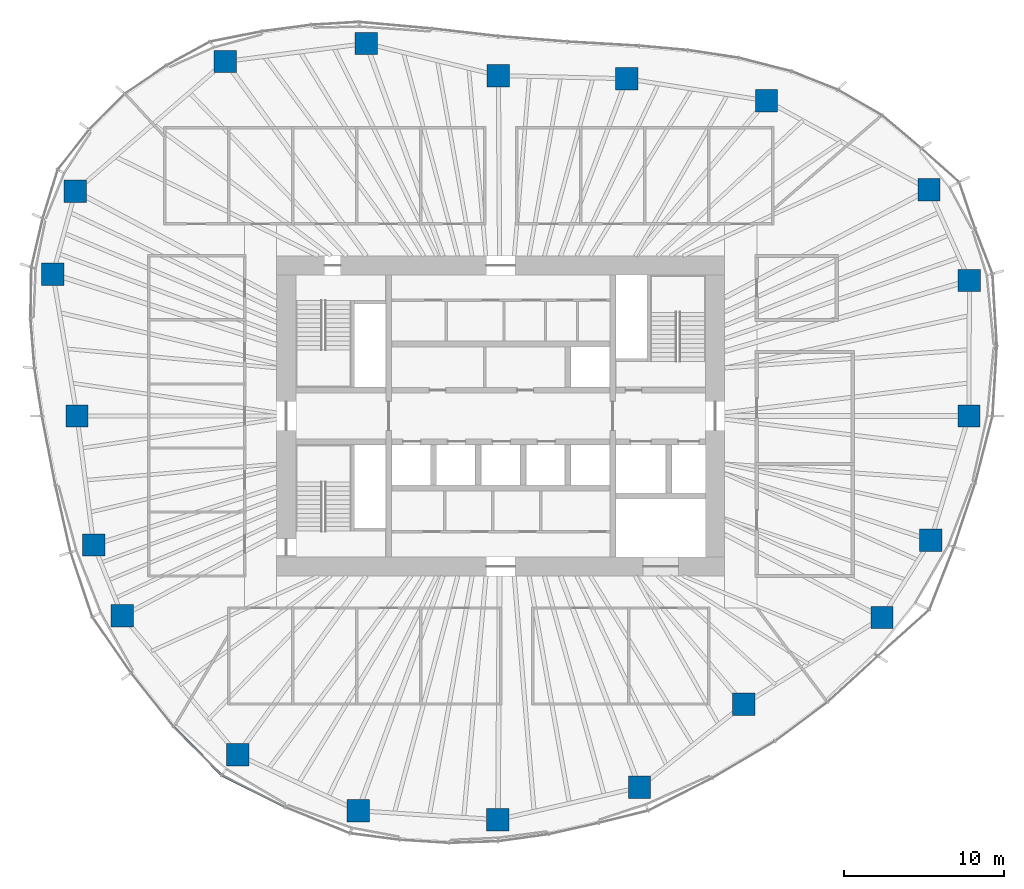
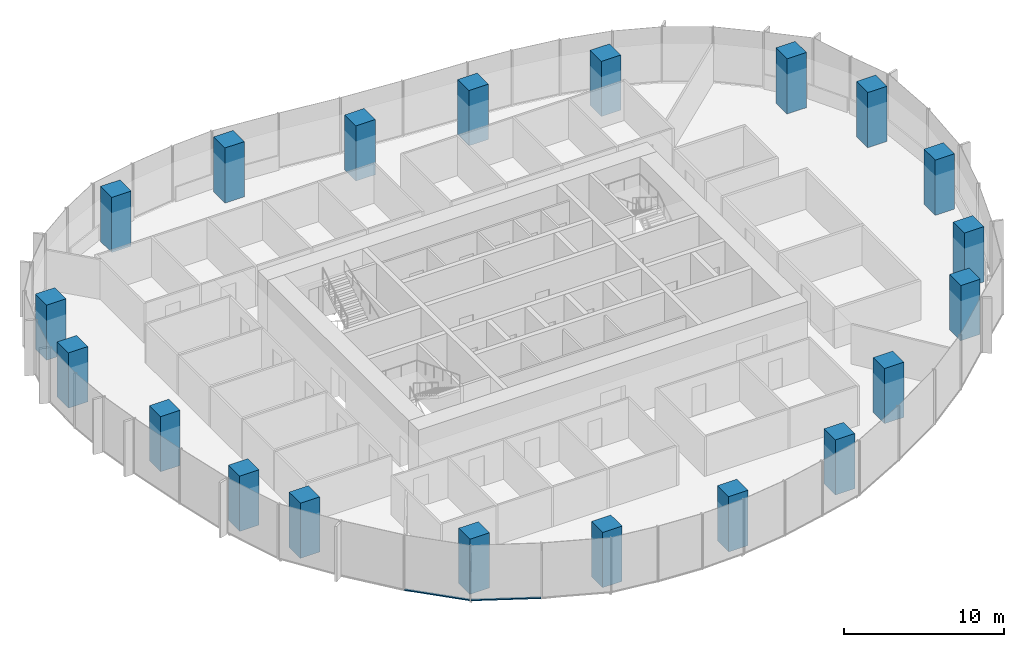
# One storey, part 1 of 18: 20 columns, 2 members, 2 elements without a shape of their own.
"""IFC4 building model written with IfcOpenShell, lengths in metres."""

from ifc_helpers import new_model, si_unit, direction, frame, origin, origin_2d, place, context, subcontext, project, spatial, rectangle, extrude, material, material_profile, profile_set, type_object, element, aggregate, save


model = new_model("IFC4")

# Units and contexts
model_context = context("Model", 3, precision=1e-05, world=origin(), true_north=direction((0.0, 1.0)))
body_context = subcontext(model_context, "Body", "Model", "MODEL_VIEW")
ifc_project = project(units=[si_unit("LENGTHUNIT", "METRE"), si_unit("AREAUNIT", "SQUARE_METRE"), si_unit("VOLUMEUNIT", "CUBIC_METRE"), si_unit("PLANEANGLEUNIT", "RADIAN"), si_unit("MASSUNIT", "GRAM", prefix="KILO")], contexts=[model_context])

# Site, building, storey
site_placement = place(None, origin())
site = spatial("IfcSite", under=ifc_project, at=site_placement, CompositionType="ELEMENT")
building_placement = place(site_placement, origin())
building = spatial("IfcBuilding", under=site, at=building_placement, Name="Ghaith Harvest Tower", CompositionType="ELEMENT")
storey_placement = place(building_placement, frame((0.0, 0.0, 172.199951171875)))
storey = spatial("IfcBuildingStorey", under=building, at=storey_placement, Name="L37", CompositionType="ELEMENT", Elevation=172.199951171875)

# Columns
ifc_material_1 = material(Name="Concrete C60/75", Category="concrete")
ifc_material_profile_1 = material_profile(ifc_material_1, rectangle(XDim=1.39990234375, YDim=1.39990234375, at=origin_2d()), Name="RC1400X1400")
ifc_profile_set_1 = profile_set([ifc_material_profile_1], Name="Concrete C60/75")
column_type = type_object("IfcColumnType", Name="TC4 RC1400X1400", PredefinedType="COLUMN", material=ifc_profile_set_1)
for number, where, z_axis, x_axis, name in (
    (1, (29.259033203125, 0.0, 0.0), (0.0, 0.0, 1.0), (1.0, 0.0, 0.0), "Perimeter column C01"),
    (2, (29.285888671875, 8.464111328125, 0.0), (0.0, 0.0, 1.0), (1.0, 0.0, 0.0), "Perimeter column C02"),
    (3, (26.763916015625, 14.14697265625, 0.0), (0.0, 0.0, 1.0), (1.0, 0.0, 0.0), "Perimeter column C03"),
    (4, (16.60791015625, 19.695068359375, 0.0), (0.0, 0.0, 1.0), (1.0, 0.0, 0.0), "Perimeter column C04"),
    (5, (7.8779296875, 21.072021484375, 0.0), (0.0, 0.0, 1.0), (1.0, 0.0, 0.0), "Perimeter column C05"),
    (6, (-0.14599609375, 21.27099609375, 0.0), (0.0, 0.0, 1.0), (1.0, 0.0, 0.0), "Perimeter column C06"),
    (7, (-8.406982421875, 23.27587890625, 0.0), (0.0, 0.0, 1.0), (1.0, 0.0, 0.0), "Perimeter column C07"),
    (8, (-17.201904296875, 22.14990234375, 0.0), (0.0, 0.0, 1.0), (1.0, 0.0, 0.0), "Perimeter column C08"),
    (9, (-26.572998046875, 14.0458984375, 0.0), (0.0, 0.0, 1.0), (1.0, 0.0, 0.0), "Perimeter column C09"),
    (10, (-27.98291015625, 8.867919921875, 0.0), (0.0, 0.0, 1.0), (1.0, 0.0, 0.0), "Perimeter column C10"),
    (11, (-26.47509765625, 0.0, 0.0), (0.0, 0.0, 1.0), (1.0, 0.0, 0.0), "Perimeter column C11"),
    (12, (-25.43603515625, -8.06103515625, 0.0), (0.0, 0.0, 1.0), (1.0, 0.0, 0.0), "Perimeter column C12"),
    (13, (-23.635009765625, -12.492919921875, 0.0), (0.0, 0.0, 1.0), (1.0, 0.0, 0.0), "Perimeter column C13"),
    (14, (-16.43701171875, -21.1640625, 0.0), (0.0, 0.0, 1.0), (1.0, 0.0, 0.0), "Perimeter column C14"),
    (15, (-8.908935546875, -24.66796875, 0.0), (0.0, 0.0, 1.0), (1.0, 0.0, 0.0), "Perimeter column C15"),
    (16, (-0.173095703125, -25.22412109375, 0.0), (0.0, 0.0, 1.0), (1.0, 0.0, 0.0), "Perimeter column C16"),
    (17, (8.674072265625, -23.202880859375, 0.0), (0.0, 0.0, 1.0), (1.0, 0.0, 0.0), "Perimeter column C17"),
    (18, (15.197998046875, -18.02294921875, 0.0), (0.0, 0.0, 1.0), (1.0, 0.0, 0.0), "Perimeter column C18"),
    (19, (23.825927734375, -12.593994140625, 0.0), (0.0, 0.0, 1.0), (1.0, 0.0, 0.0), "Perimeter column C19"),
    (20, (26.8779296875, -7.76806640625, 0.0), (0.0, 0.0, 1.0), (1.0, 0.0, 0.0), "Perimeter column C20"),
):
    element("IfcColumn", number, at=place(storey_placement, frame(where, z_axis=z_axis, x_axis=x_axis)), inside=storey, type_object=column_type, Name=name, PredefinedType="COLUMN", context=body_context, shape_type="SweptSolid", body=[
        extrude(rectangle(XDim=1.39990234375, YDim=1.39990234375, at=origin_2d()), origin(), (0.0, 0.0, 1.0), 4.199951171875),
    ])

# Curtain wall, member
ifc_material_2 = material(Name="Black anodised aluminium and fritted glass", Category="aluminium")
curtain_wall_type = type_object("IfcCurtainWallType", Name="CW-L CURTAIN WALL", PredefinedType="NOTDEFINED", material=ifc_material_2)
curtain_wall_1_placement = place(storey_placement, origin())
curtain_wall_1 = element("IfcCurtainWall", 21, at=curtain_wall_1_placement, inside=storey, type_object=curtain_wall_type, Name="Curtain wall CW-L bay 13 L37", PredefinedType="NOTDEFINED")
ifc_material_3 = material(Name="Aluminium, black anodised", Category="aluminium")
ifc_material_profile_2 = material_profile(ifc_material_3, rectangle(XDim=0.14990234375, YDim=0.080078125, at=origin_2d()), Name="CW-L TRANSOM 150x80")
ifc_profile_set_2 = profile_set([ifc_material_profile_2], Name="Aluminium, black anodised")
member_type = type_object("IfcMemberType", Name="CW-L TRANSOM 150x80", PredefinedType="USERDEFINED", material=ifc_profile_set_2)
member_1_placement = place(storey_placement, frame((-20.4130859375, -19.425048828125, 0.0400390625), z_axis=(0.702854410476, -0.711333731574, 0.0), x_axis=(0.711333731574, 0.702854410476, 0.0)))
member_1 = element("IfcMember", 22, at=member_1_placement, type_object=member_type, Name="CW-L transom 2 bay 13 L37", ObjectType="TRANSOM", PredefinedType="USERDEFINED", context=body_context, shape_type="SweptSolid", body=[
    extrude(rectangle(XDim=0.14990234375, YDim=0.080078125, at=origin_2d()), origin(), (0.0, 0.0, 1.0), 4.20361328125),
])
aggregate(curtain_wall_1, [member_1])

curtain_wall_2_placement = place(storey_placement, origin())
curtain_wall_2 = element("IfcCurtainWall", 23, at=curtain_wall_2_placement, inside=storey, type_object=curtain_wall_type, Name="Curtain wall CW-L bay 14 L37", PredefinedType="NOTDEFINED")
member_2_placement = place(storey_placement, frame((-17.394775390625, -22.461669921875, 0.0400390625), z_axis=(0.893057524502, -0.449942505138, 0.0), x_axis=(0.449942505138, 0.893057524502, 0.0)))
member_2 = element("IfcMember", 24, at=member_2_placement, type_object=member_type, Name="CW-L transom 1 bay 14 L37", ObjectType="TRANSOM", PredefinedType="USERDEFINED", context=body_context, shape_type="SweptSolid", body=[
    extrude(rectangle(XDim=0.14990234375, YDim=0.080078125, at=origin_2d()), origin(), (0.0, 0.0, 1.0), 4.362548828125),
])
aggregate(curtain_wall_2, [member_2])

save(model, "model.ifc")
